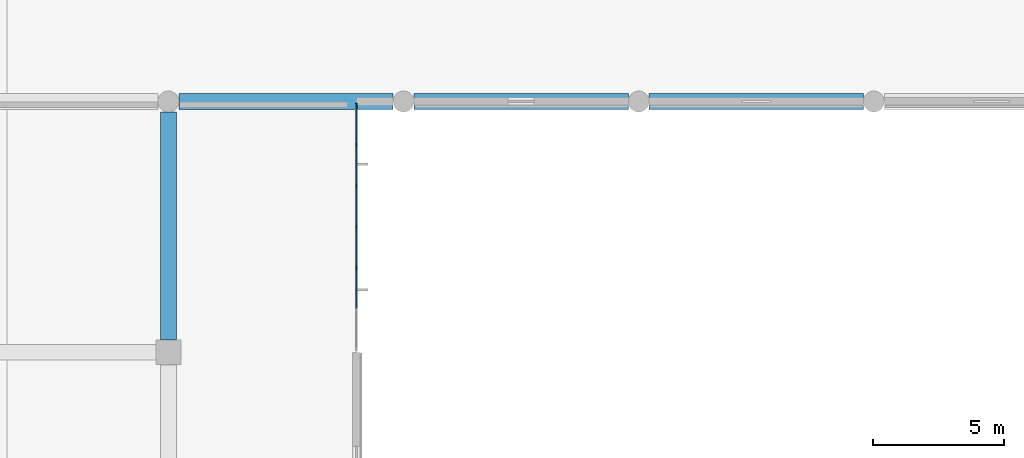
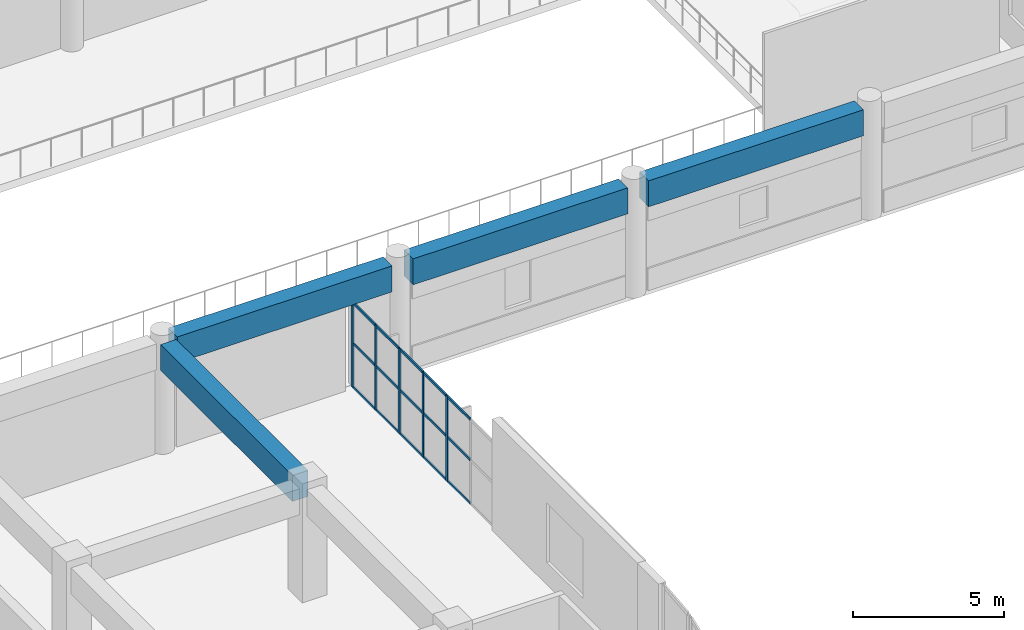
# One storey, part 35 of 86: 20 members, 4 beams, 1 element without a shape of its own.
"""IFC4 building model written with IfcOpenShell, lengths in metres."""

from ifc_helpers import new_model, si_unit, direction, frame, origin, origin_2d, place, context, subcontext, project, spatial, rectangle, extrude, material, layer, layer_set, material_profile, profile_set, type_object, element, aggregate, save


model = new_model("IFC4")

# Units and contexts
model_context = context("Model", 3, precision=1e-05, world=origin(), true_north=direction((0.0, 1.0)))
body_context = subcontext(model_context, "Body", "Model", "MODEL_VIEW")
ifc_project = project(units=[si_unit("LENGTHUNIT", "METRE"), si_unit("AREAUNIT", "SQUARE_METRE"), si_unit("VOLUMEUNIT", "CUBIC_METRE"), si_unit("PLANEANGLEUNIT", "RADIAN"), si_unit("MASSUNIT", "GRAM", prefix="KILO")], contexts=[model_context])

# Site, building, storey
site_placement = place(None, origin())
site = spatial("IfcSite", under=ifc_project, at=site_placement, CompositionType="ELEMENT")
building_placement = place(site_placement, origin())
building = spatial("IfcBuilding", under=site, at=building_placement, Name="Cendralis Terraced Arcade", CompositionType="ELEMENT")
storey_placement = place(building_placement, frame((0.0, 0.0, 5.39990234375)))
storey = spatial("IfcBuildingStorey", under=building, at=storey_placement, Name="L01", CompositionType="ELEMENT", Elevation=5.39990234375)

# Beams
ifc_material_1 = material(Name="Concrete f'c 35 MPa", Category="concrete")
ifc_material_profile_1 = material_profile(ifc_material_1, rectangle(XDim=0.60009765625, YDim=1.050048828125, at=origin_2d()), Name="RC-BM-600x1050", Category="LoadBearing")
ifc_profile_set_1 = profile_set([ifc_material_profile_1], Name="Concrete f'c 35 MPa")
beam_type = type_object("IfcBeamType", Name="BM-600x1050", PredefinedType="JOIST", material=ifc_profile_set_1)
for number, where, z_axis, x_axis, name in (
    (1, (130.60009765625, 38.39990234375, 3.97998046875), (1.0, 0.0, 0.0), (0.0, 1.0, 0.0), "Reinforced Concrete Frame Beam BM-X-L02-E-15_16"),
    (2, (139.60009765625, 38.39990234375, 3.97998046875), (1.0, 0.0, 0.0), (0.0, 1.0, 0.0), "Reinforced Concrete Frame Beam BM-X-L02-E-16_17"),
    (3, (148.60009765625, 38.39990234375, 3.97998046875), (1.0, 0.0, 0.0), (0.0, 1.0, 0.0), "Reinforced Concrete Frame Beam BM-X-L02-E-17_18"),
):
    element("IfcBeam", number, at=place(storey_placement, frame(where, z_axis=z_axis, x_axis=x_axis)), inside=storey, type_object=beam_type, Name=name, PredefinedType="JOIST", context=body_context, shape_type="SweptSolid", body=[
        extrude(rectangle(XDim=0.60009765625, YDim=1.050048828125, at=origin_2d()), origin(), (0.0, 0.0, 1.0), 8.199951171875),
    ])
beam_placement = place(storey_placement, frame((130.199951171875, 29.27490234375, 3.97998046875), z_axis=(0.0, 1.0, 0.0), x_axis=(-1.0, 0.0, 0.0)))
element("IfcBeam", 4, at=beam_placement, inside=storey, type_object=beam_type, Name="Reinforced Concrete Frame Beam BM-Y-L02-15-D_E", PredefinedType="JOIST", context=body_context, shape_type="SweptSolid", body=[
    extrude(rectangle(XDim=0.60009765625, YDim=1.050048828125, at=origin_2d()), origin(), (0.0, 0.0, 1.0), 8.72509765625),
])

# Curtain wall, members
ifc_material_2 = material(Name="Anodised aluminium EN AW-6063 T6", Category="aluminium")
ifc_layer = layer(ifc_material_2, 0.1201171875, Name="CW-STORE-B")
ifc_layer_set = layer_set([ifc_layer], Name="Anodised aluminium EN AW-6063 T6")
curtain_wall_type = type_object("IfcCurtainWallType", Name="CW-STORE-B", PredefinedType="USERDEFINED", material=ifc_layer_set)
curtain_wall_placement = place(storey_placement, origin())
curtain_wall = element("IfcCurtainWall", 5, at=curtain_wall_placement, inside=storey, type_object=curtain_wall_type, Name="Exterior Storefront Glazing CW-L01-0077", ObjectType="STOREFRONT GLAZING", PredefinedType="USERDEFINED")
ifc_material_profile_2 = material_profile(ifc_material_2, rectangle(XDim=0.054931640625, YDim=0.1201171875, at=origin_2d()), Name="ALU-MUL-55x120")
ifc_profile_set_2 = profile_set([ifc_material_profile_2], Name="Anodised aluminium EN AW-6063 T6")
member_type_1 = type_object("IfcMemberType", Name="CW-STORE-B-MUL", PredefinedType="MULLION", material=ifc_profile_set_2)
member_1_placement = place(storey_placement, frame((137.39990234375, 38.282470703125, 0.0), z_axis=(0.0, 0.0, 1.0), x_axis=(1.0, 0.0, 0.0)))
member_1 = element("IfcMember", 6, at=member_1_placement, type_object=member_type_1, Name="CW-S2 mullion 1", PredefinedType="MULLION", context=body_context, shape_type="SweptSolid", body=[
    extrude(rectangle(XDim=0.054931640625, YDim=0.1201171875, at=origin_2d()), origin(), (0.0, 0.0, 1.0), 3.445068359375),
])
member_2_placement = place(storey_placement, frame((137.39990234375, 36.739990234375, 0.0), z_axis=(0.0, 0.0, 1.0), x_axis=(1.0, 0.0, 0.0)))
member_2 = element("IfcMember", 7, at=member_2_placement, type_object=member_type_1, Name="CW-S2 mullion 2", PredefinedType="MULLION", context=body_context, shape_type="SweptSolid", body=[
    extrude(rectangle(XDim=0.054931640625, YDim=0.1201171875, at=origin_2d()), origin(), (0.0, 0.0, 1.0), 3.445068359375),
])
member_3_placement = place(storey_placement, frame((137.39990234375, 35.169921875, 0.0), z_axis=(0.0, 0.0, 1.0), x_axis=(1.0, 0.0, 0.0)))
member_3 = element("IfcMember", 8, at=member_3_placement, type_object=member_type_1, Name="CW-S2 mullion 3", PredefinedType="MULLION", context=body_context, shape_type="SweptSolid", body=[
    extrude(rectangle(XDim=0.054931640625, YDim=0.1201171875, at=origin_2d()), origin(), (0.0, 0.0, 1.0), 3.445068359375),
])
member_4_placement = place(storey_placement, frame((137.39990234375, 33.60009765625, 0.0), z_axis=(0.0, 0.0, 1.0), x_axis=(1.0, 0.0, 0.0)))
member_4 = element("IfcMember", 9, at=member_4_placement, type_object=member_type_1, Name="CW-S2 mullion 4", PredefinedType="MULLION", context=body_context, shape_type="SweptSolid", body=[
    extrude(rectangle(XDim=0.054931640625, YDim=0.1201171875, at=origin_2d()), origin(), (0.0, 0.0, 1.0), 3.445068359375),
])
member_5_placement = place(storey_placement, frame((137.39990234375, 32.030029296875, 0.0), z_axis=(0.0, 0.0, 1.0), x_axis=(1.0, 0.0, 0.0)))
member_5 = element("IfcMember", 10, at=member_5_placement, type_object=member_type_1, Name="CW-S2 mullion 5", PredefinedType="MULLION", context=body_context, shape_type="SweptSolid", body=[
    extrude(rectangle(XDim=0.054931640625, YDim=0.1201171875, at=origin_2d()), origin(), (0.0, 0.0, 1.0), 3.445068359375),
])
ifc_material_profile_3 = material_profile(ifc_material_2, rectangle(XDim=0.054931640625, YDim=0.10009765625, at=origin_2d()), Name="ALU-TRN-55x100")
ifc_profile_set_3 = profile_set([ifc_material_profile_3], Name="Anodised aluminium EN AW-6063 T6")
member_type_2 = type_object("IfcMemberType", Name="CW-STORE-B-TRN", PredefinedType="USERDEFINED", material=ifc_profile_set_3)
member_6_placement = place(storey_placement, frame((137.39990234375, 38.2548828125, 0.027587890625), z_axis=(0.0, -1.0, 0.0), x_axis=(1.0, 0.0, 0.0)))
member_6 = element("IfcMember", 11, at=member_6_placement, type_object=member_type_2, Name="CW-S2 transom 1.1", ObjectType="TRANSOM", PredefinedType="USERDEFINED", context=body_context, shape_type="SweptSolid", body=[
    extrude(rectangle(XDim=0.054931640625, YDim=0.10009765625, at=origin_2d()), origin(), (0.0, 0.0, 1.0), 1.4873046875),
])
member_7_placement = place(storey_placement, frame((137.39990234375, 38.2548828125, 1.79150390625), z_axis=(0.0, -1.0, 0.0), x_axis=(1.0, 0.0, 0.0)))
member_7 = element("IfcMember", 12, at=member_7_placement, type_object=member_type_2, Name="CW-S2 transom 1.2", ObjectType="TRANSOM", PredefinedType="USERDEFINED", context=body_context, shape_type="SweptSolid", body=[
    extrude(rectangle(XDim=0.054931640625, YDim=0.10009765625, at=origin_2d()), origin(), (0.0, 0.0, 1.0), 1.4873046875),
])
member_8_placement = place(storey_placement, frame((137.39990234375, 38.2548828125, 3.41748046875), z_axis=(0.0, -1.0, 0.0), x_axis=(1.0, 0.0, 0.0)))
member_8 = element("IfcMember", 13, at=member_8_placement, type_object=member_type_2, Name="CW-S2 transom 1.3", ObjectType="TRANSOM", PredefinedType="USERDEFINED", context=body_context, shape_type="SweptSolid", body=[
    extrude(rectangle(XDim=0.054931640625, YDim=0.10009765625, at=origin_2d()), origin(), (0.0, 0.0, 1.0), 1.4873046875),
])
member_9_placement = place(storey_placement, frame((137.39990234375, 36.71240234375, 0.027587890625), z_axis=(0.0, -1.0, 0.0), x_axis=(1.0, 0.0, 0.0)))
member_9 = element("IfcMember", 14, at=member_9_placement, type_object=member_type_2, Name="CW-S2 transom 2.1", ObjectType="TRANSOM", PredefinedType="USERDEFINED", context=body_context, shape_type="SweptSolid", body=[
    extrude(rectangle(XDim=0.054931640625, YDim=0.10009765625, at=origin_2d()), origin(), (0.0, 0.0, 1.0), 1.514892578125),
])
member_10_placement = place(storey_placement, frame((137.39990234375, 36.71240234375, 1.79150390625), z_axis=(0.0, -1.0, 0.0), x_axis=(1.0, 0.0, 0.0)))
member_10 = element("IfcMember", 15, at=member_10_placement, type_object=member_type_2, Name="CW-S2 transom 2.2", ObjectType="TRANSOM", PredefinedType="USERDEFINED", context=body_context, shape_type="SweptSolid", body=[
    extrude(rectangle(XDim=0.054931640625, YDim=0.10009765625, at=origin_2d()), origin(), (0.0, 0.0, 1.0), 1.514892578125),
])
member_11_placement = place(storey_placement, frame((137.39990234375, 36.71240234375, 3.41748046875), z_axis=(0.0, -1.0, 0.0), x_axis=(1.0, 0.0, 0.0)))
member_11 = element("IfcMember", 16, at=member_11_placement, type_object=member_type_2, Name="CW-S2 transom 2.3", ObjectType="TRANSOM", PredefinedType="USERDEFINED", context=body_context, shape_type="SweptSolid", body=[
    extrude(rectangle(XDim=0.054931640625, YDim=0.10009765625, at=origin_2d()), origin(), (0.0, 0.0, 1.0), 1.514892578125),
])
member_12_placement = place(storey_placement, frame((137.39990234375, 35.142578125, 0.027587890625), z_axis=(0.0, -1.0, 0.0), x_axis=(1.0, 0.0, 0.0)))
member_12 = element("IfcMember", 17, at=member_12_placement, type_object=member_type_2, Name="CW-S2 transom 3.1", ObjectType="TRANSOM", PredefinedType="USERDEFINED", context=body_context, shape_type="SweptSolid", body=[
    extrude(rectangle(XDim=0.054931640625, YDim=0.10009765625, at=origin_2d()), origin(), (0.0, 0.0, 1.0), 1.51513671875),
])
member_13_placement = place(storey_placement, frame((137.39990234375, 35.142578125, 1.79150390625), z_axis=(0.0, -1.0, 0.0), x_axis=(1.0, 0.0, 0.0)))
member_13 = element("IfcMember", 18, at=member_13_placement, type_object=member_type_2, Name="CW-S2 transom 3.2", ObjectType="TRANSOM", PredefinedType="USERDEFINED", context=body_context, shape_type="SweptSolid", body=[
    extrude(rectangle(XDim=0.054931640625, YDim=0.10009765625, at=origin_2d()), origin(), (0.0, 0.0, 1.0), 1.51513671875),
])
member_14_placement = place(storey_placement, frame((137.39990234375, 35.142578125, 3.41748046875), z_axis=(0.0, -1.0, 0.0), x_axis=(1.0, 0.0, 0.0)))
member_14 = element("IfcMember", 19, at=member_14_placement, type_object=member_type_2, Name="CW-S2 transom 3.3", ObjectType="TRANSOM", PredefinedType="USERDEFINED", context=body_context, shape_type="SweptSolid", body=[
    extrude(rectangle(XDim=0.054931640625, YDim=0.10009765625, at=origin_2d()), origin(), (0.0, 0.0, 1.0), 1.51513671875),
])
member_15_placement = place(storey_placement, frame((137.39990234375, 33.572509765625, 0.027587890625), z_axis=(0.0, -1.0, 0.0), x_axis=(1.0, 0.0, 0.0)))
member_15 = element("IfcMember", 20, at=member_15_placement, type_object=member_type_2, Name="CW-S2 transom 4.1", ObjectType="TRANSOM", PredefinedType="USERDEFINED", context=body_context, shape_type="SweptSolid", body=[
    extrude(rectangle(XDim=0.054931640625, YDim=0.10009765625, at=origin_2d()), origin(), (0.0, 0.0, 1.0), 1.514892578125),
])
member_16_placement = place(storey_placement, frame((137.39990234375, 33.572509765625, 1.79150390625), z_axis=(0.0, -1.0, 0.0), x_axis=(1.0, 0.0, 0.0)))
member_16 = element("IfcMember", 21, at=member_16_placement, type_object=member_type_2, Name="CW-S2 transom 4.2", ObjectType="TRANSOM", PredefinedType="USERDEFINED", context=body_context, shape_type="SweptSolid", body=[
    extrude(rectangle(XDim=0.054931640625, YDim=0.10009765625, at=origin_2d()), origin(), (0.0, 0.0, 1.0), 1.514892578125),
])
member_17_placement = place(storey_placement, frame((137.39990234375, 33.572509765625, 3.41748046875), z_axis=(0.0, -1.0, 0.0), x_axis=(1.0, 0.0, 0.0)))
member_17 = element("IfcMember", 22, at=member_17_placement, type_object=member_type_2, Name="CW-S2 transom 4.3", ObjectType="TRANSOM", PredefinedType="USERDEFINED", context=body_context, shape_type="SweptSolid", body=[
    extrude(rectangle(XDim=0.054931640625, YDim=0.10009765625, at=origin_2d()), origin(), (0.0, 0.0, 1.0), 1.514892578125),
])
member_18_placement = place(storey_placement, frame((137.39990234375, 32.00244140625, 0.027587890625), z_axis=(0.0, -1.0, 0.0), x_axis=(1.0, 0.0, 0.0)))
member_18 = element("IfcMember", 23, at=member_18_placement, type_object=member_type_2, Name="CW-S2 transom 5.1", ObjectType="TRANSOM", PredefinedType="USERDEFINED", context=body_context, shape_type="SweptSolid", body=[
    extrude(rectangle(XDim=0.054931640625, YDim=0.10009765625, at=origin_2d()), origin(), (0.0, 0.0, 1.0), 1.514892578125),
])
member_19_placement = place(storey_placement, frame((137.39990234375, 32.00244140625, 1.79150390625), z_axis=(0.0, -1.0, 0.0), x_axis=(1.0, 0.0, 0.0)))
member_19 = element("IfcMember", 24, at=member_19_placement, type_object=member_type_2, Name="CW-S2 transom 5.2", ObjectType="TRANSOM", PredefinedType="USERDEFINED", context=body_context, shape_type="SweptSolid", body=[
    extrude(rectangle(XDim=0.054931640625, YDim=0.10009765625, at=origin_2d()), origin(), (0.0, 0.0, 1.0), 1.514892578125),
])
member_20_placement = place(storey_placement, frame((137.39990234375, 32.00244140625, 3.41748046875), z_axis=(0.0, -1.0, 0.0), x_axis=(1.0, 0.0, 0.0)))
member_20 = element("IfcMember", 25, at=member_20_placement, type_object=member_type_2, Name="CW-S2 transom 5.3", ObjectType="TRANSOM", PredefinedType="USERDEFINED", context=body_context, shape_type="SweptSolid", body=[
    extrude(rectangle(XDim=0.054931640625, YDim=0.10009765625, at=origin_2d()), origin(), (0.0, 0.0, 1.0), 1.514892578125),
])
aggregate(curtain_wall, [member_1, member_2, member_3, member_4, member_5, member_6, member_7, member_8, member_9, member_10, member_11, member_12, member_13, member_14, member_15, member_16, member_17, member_18, member_19, member_20])

save(model, "model.ifc")
